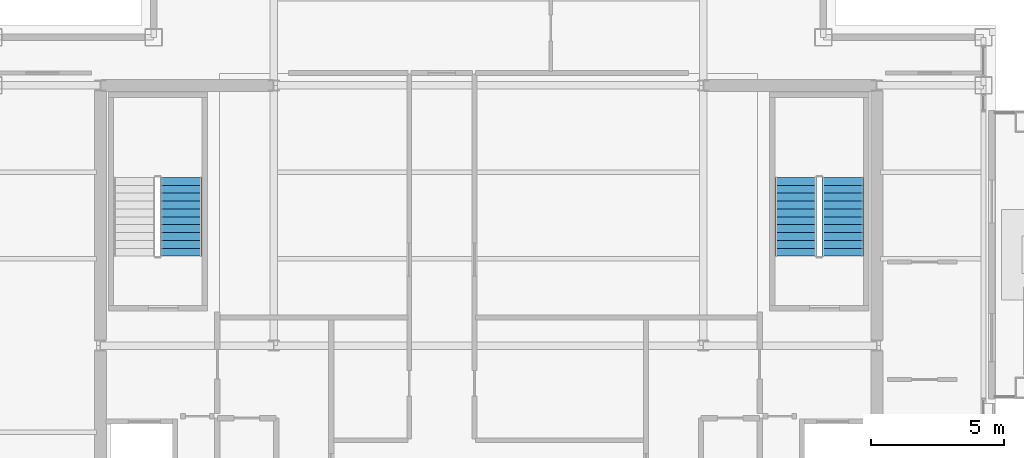
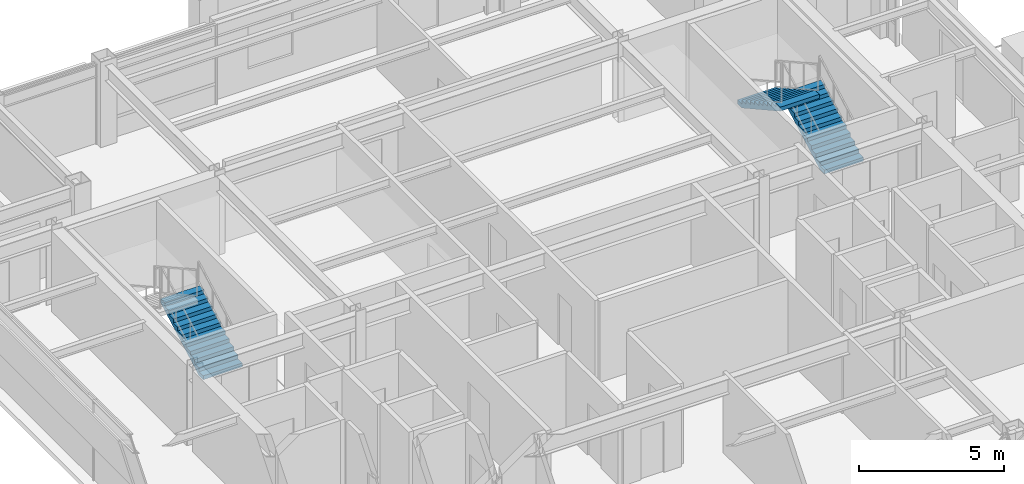
# One storey, part 22 of 24: 3 stair flights, 2 elements without a shape of their own.
"""IFC4 building model written with IfcOpenShell, lengths in metres."""

from ifc_helpers import new_model, si_unit, direction, frame, origin, place, context, subcontext, project, spatial, polyline, outline, extrude, material, type_object, element, aggregate, save


model = new_model("IFC4")

# Units and contexts
model_context = context("Model", 3, precision=1e-05, world=origin(), true_north=direction((0.0, 1.0)))
body_context = subcontext(model_context, "Body", "Model", "MODEL_VIEW")
ifc_project = project(units=[si_unit("LENGTHUNIT", "METRE"), si_unit("AREAUNIT", "SQUARE_METRE"), si_unit("VOLUMEUNIT", "CUBIC_METRE"), si_unit("PLANEANGLEUNIT", "RADIAN"), si_unit("MASSUNIT", "GRAM", prefix="KILO")], contexts=[model_context])

# Site, building, storey
site_placement = place(None, origin())
site = spatial("IfcSite", under=ifc_project, at=site_placement, CompositionType="ELEMENT")
building_placement = place(site_placement, origin())
building = spatial("IfcBuilding", under=site, at=building_placement, Name="Brelmoor Portico Tower", CompositionType="ELEMENT")
storey_placement = place(building_placement, frame((0.0, 0.0, 229.199951171875)))
storey = spatial("IfcBuildingStorey", under=building, at=storey_placement, Name="L60", CompositionType="ELEMENT", Elevation=229.199951171875)

# Stair, stair flight
ifc_material = material(Name="Concrete C40", Category="concrete")
stair_type_1 = type_object("IfcStairType", Name="ST-CORE-W", PredefinedType="HALF_TURN_STAIR", material=ifc_material)
stair_1_placement = place(storey_placement, origin())
stair_1 = element("IfcStair", 1, at=stair_1_placement, inside=storey, type_object=stair_type_1, Name="L60 Protected Core Exit Stair ST-W", PredefinedType="HALF_TURN_STAIR")
stair_flight_type = type_object("IfcStairFlightType", Name="SF-CORE-1850", PredefinedType="STRAIGHT", material=ifc_material)
stair_flight_1_placement = place(storey_placement, frame((-11.510009765625, 3.35009765625, 0.0), z_axis=(0.0, 0.0, 1.0), x_axis=(0.0, 1.0, 0.0)))
stair_flight_1 = element("IfcStairFlight", 2, at=stair_flight_1_placement, type_object=stair_flight_type, Name="ST-W flight 1", NumberOfRisers=11, NumberOfTreads=10, PredefinedType="STRAIGHT", RiserHeight=0.163636364, TreadLength=0.295, context=body_context, shape_type="SweptSolid", body=[
    extrude(outline(polyline([(0.0, 0.0), (0.0, 0.16357421875), (0.294921875, 0.16357421875), (0.294921875, 0.327392578125), (0.590087890625, 0.327392578125), (0.590087890625, 0.490966796875), (0.885009765625, 0.490966796875), (0.885009765625, 0.654541015625), (1.179931640625, 0.654541015625), (1.179931640625, 0.818115234375), (1.47509765625, 0.818115234375), (1.47509765625, 0.98193359375), (1.77001953125, 0.98193359375), (1.77001953125, 1.1455078125), (2.06494140625, 1.1455078125), (2.06494140625, 1.30908203125), (2.360107421875, 1.30908203125), (2.360107421875, 1.47265625), (2.655029296875, 1.47265625), (2.655029296875, 1.636474609375), (2.949951171875, 1.636474609375), (2.949951171875, 1.800048828125), (2.949951171875, 1.46484375), (0.30908203125, 0.0), (0.0, 0.0)])), frame((0.0, 0.780029296875, 0.0), z_axis=(0.0, -1.0, 0.0), x_axis=(1.0, 0.0, 0.0)), (0.0, 0.0, 1.0), 1.56005859375),
])
aggregate(stair_1, [stair_flight_1])

# Stair, stair flights
stair_type_2 = type_object("IfcStairType", Name="ST-CORE-E", PredefinedType="HALF_TURN_STAIR", material=ifc_material)
stair_2_placement = place(storey_placement, origin())
stair_2 = element("IfcStair", 3, at=stair_2_placement, inside=storey, type_object=stair_type_2, Name="L60 Protected Core Exit Stair ST-E", PredefinedType="HALF_TURN_STAIR")
stair_flight_2_placement = place(storey_placement, frame((13.27001953125, 3.35009765625, 0.0), z_axis=(0.0, 0.0, 1.0), x_axis=(0.0, 1.0, 0.0)))
stair_flight_2 = element("IfcStairFlight", 4, at=stair_flight_2_placement, type_object=stair_flight_type, Name="ST-E flight 1", NumberOfRisers=11, NumberOfTreads=10, PredefinedType="STRAIGHT", RiserHeight=0.163636364, TreadLength=0.295, context=body_context, shape_type="SweptSolid", body=[
    extrude(outline(polyline([(0.0, 0.0), (0.0, 0.16357421875), (0.294921875, 0.16357421875), (0.294921875, 0.327392578125), (0.590087890625, 0.327392578125), (0.590087890625, 0.490966796875), (0.885009765625, 0.490966796875), (0.885009765625, 0.654541015625), (1.179931640625, 0.654541015625), (1.179931640625, 0.818115234375), (1.47509765625, 0.818115234375), (1.47509765625, 0.98193359375), (1.77001953125, 0.98193359375), (1.77001953125, 1.1455078125), (2.06494140625, 1.1455078125), (2.06494140625, 1.30908203125), (2.360107421875, 1.30908203125), (2.360107421875, 1.47265625), (2.655029296875, 1.47265625), (2.655029296875, 1.636474609375), (2.949951171875, 1.636474609375), (2.949951171875, 1.800048828125), (2.949951171875, 1.46484375), (0.30908203125, 0.0), (0.0, 0.0)])), frame((0.0, 0.780029296875, 0.0), z_axis=(0.0, -1.0, 0.0), x_axis=(1.0, 0.0, 0.0)), (0.0, 0.0, 1.0), 1.56005859375),
])
stair_flight_3_placement = place(storey_placement, frame((11.510009765625, 6.300048828125, 1.800048828125), z_axis=(0.0, 0.0, 1.0), x_axis=(0.0, -1.0, 0.0)))
stair_flight_3 = element("IfcStairFlight", 5, at=stair_flight_3_placement, type_object=stair_flight_type, Name="ST-E flight 2", NumberOfRisers=11, NumberOfTreads=10, PredefinedType="STRAIGHT", RiserHeight=0.163636364, TreadLength=0.295, context=body_context, shape_type="SweptSolid", body=[
    extrude(outline(polyline([(0.0, 0.0), (0.0, 0.16357421875), (0.294921875, 0.16357421875), (0.294921875, 0.327392578125), (0.590087890625, 0.327392578125), (0.590087890625, 0.490966796875), (0.885009765625, 0.490966796875), (0.885009765625, 0.654541015625), (1.179931640625, 0.654541015625), (1.179931640625, 0.818115234375), (1.47509765625, 0.818115234375), (1.47509765625, 0.98193359375), (1.77001953125, 0.98193359375), (1.77001953125, 1.1455078125), (2.06494140625, 1.1455078125), (2.06494140625, 1.30908203125), (2.360107421875, 1.30908203125), (2.360107421875, 1.47265625), (2.655029296875, 1.47265625), (2.655029296875, 1.636474609375), (2.949951171875, 1.636474609375), (2.949951171875, 1.800048828125), (2.949951171875, 1.46484375), (0.30908203125, 0.0), (0.0, 0.0)])), frame((0.0, 0.780029296875, 0.0), z_axis=(0.0, -1.0, 0.0), x_axis=(1.0, 0.0, 0.0)), (0.0, 0.0, 1.0), 1.56005859375),
])
aggregate(stair_2, [stair_flight_2, stair_flight_3])

save(model, "model.ifc")
